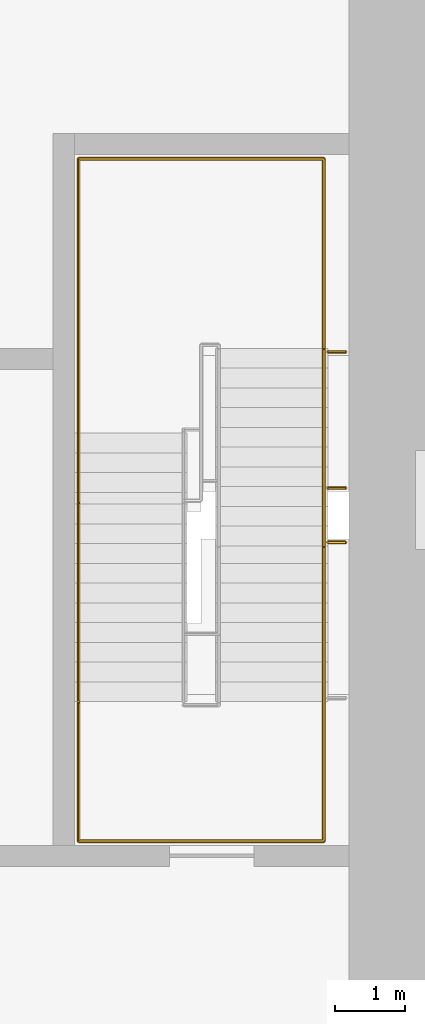
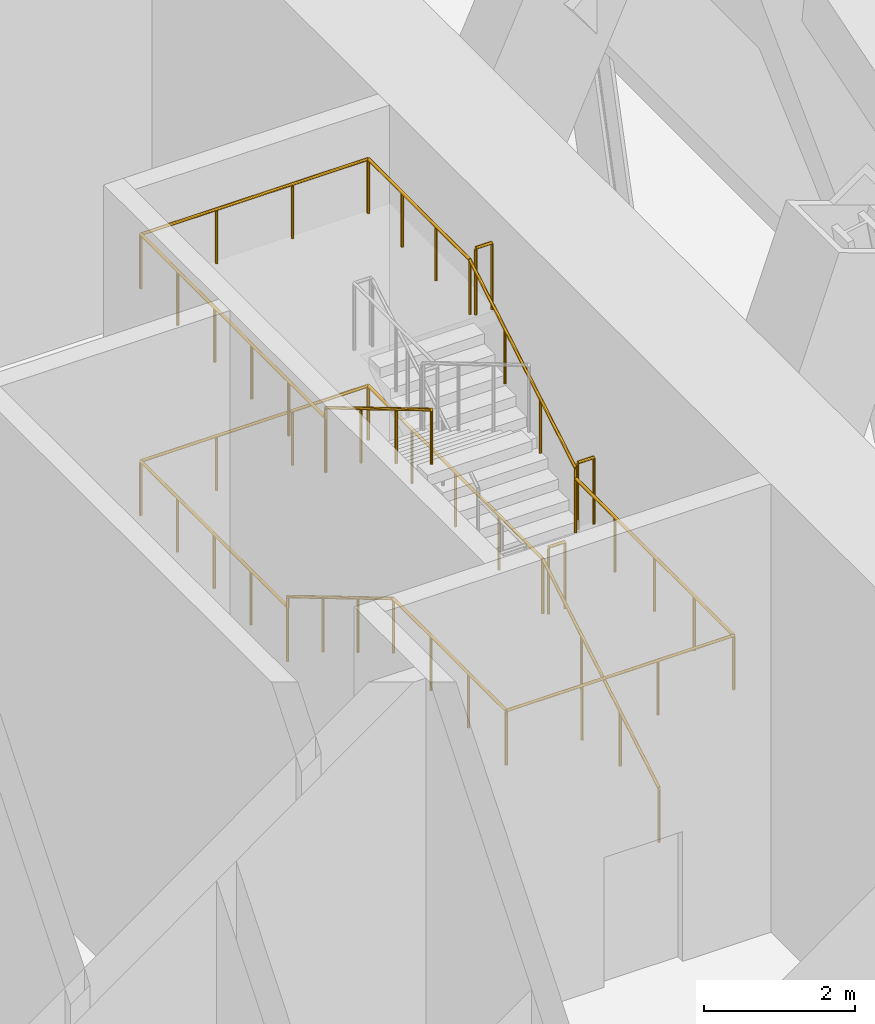
# One storey, part 16 of 16: 4 railings.
"""IFC4 building model written with IfcOpenShell, lengths in metres."""

from ifc_helpers import new_model, si_unit, direction, frame, origin, origin_2d, place, context, subcontext, project, spatial, circle, extrude, material, type_object, element, save


model = new_model("IFC4")

# Units and contexts
model_context = context("Model", 3, precision=1e-05, world=origin(), true_north=direction((0.0, 1.0)))
body_context = subcontext(model_context, "Body", "Model", "MODEL_VIEW")
ifc_project = project(units=[si_unit("LENGTHUNIT", "METRE"), si_unit("AREAUNIT", "SQUARE_METRE"), si_unit("VOLUMEUNIT", "CUBIC_METRE"), si_unit("PLANEANGLEUNIT", "RADIAN"), si_unit("MASSUNIT", "GRAM", prefix="KILO")], contexts=[model_context])

# Site, building, storey
site_placement = place(None, origin())
site = spatial("IfcSite", under=ifc_project, at=site_placement, CompositionType="ELEMENT")
building_placement = place(site_placement, origin())
building = spatial("IfcBuilding", under=site, at=building_placement, Name="Khuree Lantern Residences", CompositionType="ELEMENT")
storey_placement = place(building_placement, frame((0.0, 0.0, 278.25)))
storey = spatial("IfcBuildingStorey", under=building, at=storey_placement, Name="L70", CompositionType="ELEMENT", Elevation=278.25)

# Railings
ifc_material = material(Name="Steel S355", Category="steel")
railing_type_1 = type_object("IfcRailingType", Name="STAIR GUARD G1 1100", PredefinedType="GUARDRAIL", material=ifc_material)
for number, where, name in (
    (1, (14.64990234375, 0.169921875, 2.0), "Stair ST2 landing slot guard"),
    (2, (14.64990234375, -0.60009765625, 3.833251953125), "Stair ST2 landing slot guard"),
    (3, (14.64990234375, 2.10009765625, 5.666748046875), "Stair ST2 landing slot guard"),
):
    element("IfcRailing", number, at=place(storey_placement, frame(where)), inside=storey, type_object=railing_type_1, Name=name, PredefinedType="GUARDRAIL", context=body_context, shape_type="SweptSolid", body=[
        extrude(circle(Radius=0.02392578125, at=origin_2d()), frame((0.0, 0.0, 1.076171875), z_axis=(-1.0, 0.0, 0.0), x_axis=(0.0, -1.0, 0.0)), (0.0, 0.0, 1.0), 0.25),
        extrude(circle(Radius=0.02099609375, at=origin_2d()), origin(), (0.0, 0.0, 1.0), 1.052001953125),
        extrude(circle(Radius=0.02099609375, at=origin_2d()), frame((-0.25, 0.0, 0.0)), (0.0, 0.0, 1.0), 1.052001953125),
    ])
railing_type_2 = type_object("IfcRailingType", Name="STAIR HANDRAIL H1 900", PredefinedType="HANDRAIL", material=ifc_material)
railing_placement = place(storey_placement, frame((14.340087890625, -2.860107421875, 0.166748046875)))
element("IfcRailing", 4, at=railing_placement, inside=storey, type_object=railing_type_2, Name="Stair ST2 handrail", PredefinedType="HANDRAIL", context=body_context, shape_type="SweptSolid", body=[
    extrude(circle(Radius=0.02392578125, at=origin_2d()), frame((0.0, 0.0, 0.8759765625), z_axis=(0.0, 0.859308565015, 0.511457515432), x_axis=(-1.0, 0.0, 0.0)), (0.0, 0.0, 1.0), 3.58447265625),
    extrude(circle(Radius=0.02392578125, at=origin_2d()), frame((0.0, 3.080078125, 2.708984375), z_axis=(0.0, 1.0, 0.0), x_axis=(-1.0, 0.0, 0.0)), (0.0, 0.0, 1.0), 4.6201171875),
    extrude(circle(Radius=0.02392578125, at=origin_2d()), frame((0.0, 7.7001953125, 2.708984375), z_axis=(-1.0, 0.0, 0.0), x_axis=(0.0, -1.0, 0.0)), (0.0, 0.0, 1.0), 3.47998046875),
    extrude(circle(Radius=0.02392578125, at=origin_2d()), frame((-3.47998046875, 7.7001953125, 2.708984375), z_axis=(0.0, -1.0, 0.0), x_axis=(1.0, 0.0, 0.0)), (0.0, 0.0, 1.0), 3.89013671875),
    extrude(circle(Radius=0.02392578125, at=origin_2d()), frame((-3.47998046875, 3.81005859375, 2.708984375), z_axis=(0.0, 0.0, 1.0), x_axis=(1.0, 0.0, 0.0)), (0.0, 0.0, 1.0), 0.166748046875),
    extrude(circle(Radius=0.02392578125, at=origin_2d()), frame((-3.47998046875, 3.81005859375, 2.8759765625), z_axis=(0.0, -0.859318757487, 0.511440390497), x_axis=(1.0, 0.0, 0.0)), (0.0, 0.0, 1.0), 3.258544921875),
    extrude(circle(Radius=0.02392578125, at=origin_2d()), frame((-3.47998046875, 1.010009765625, 4.54248046875), z_axis=(0.0, -1.0, 0.0), x_axis=(1.0, 0.0, 0.0)), (0.0, 0.0, 1.0), 2.989990234375),
    extrude(circle(Radius=0.02392578125, at=origin_2d()), frame((-3.47998046875, -1.97998046875, 4.54248046875), z_axis=(1.0, 0.0, 0.0), x_axis=(0.0, 1.0, 0.0)), (0.0, 0.0, 1.0), 3.47998046875),
    extrude(circle(Radius=0.02392578125, at=origin_2d()), frame((0.0, -1.97998046875, 4.54248046875), z_axis=(0.0, 1.0, 0.0), x_axis=(-1.0, 0.0, 0.0)), (0.0, 0.0, 1.0), 4.190185546875),
    extrude(circle(Radius=0.02392578125, at=origin_2d()), frame((0.0, 2.210205078125, 4.54248046875), z_axis=(0.0, 0.0, 1.0), x_axis=(1.0, 0.0, 0.0)), (0.0, 0.0, 1.0), 0.166748046875),
    extrude(circle(Radius=0.02392578125, at=origin_2d()), frame((0.0, 2.210205078125, 4.708984375), z_axis=(0.0, 0.859266224305, 0.511528646088), x_axis=(-1.0, 0.0, 0.0)), (0.0, 0.0, 1.0), 3.25830078125),
    extrude(circle(Radius=0.02392578125, at=origin_2d()), frame((0.0, 5.010009765625, 6.3759765625), z_axis=(0.0, 1.0, 0.0), x_axis=(-1.0, 0.0, 0.0)), (0.0, 0.0, 1.0), 2.690185546875),
    extrude(circle(Radius=0.02392578125, at=origin_2d()), frame((0.0, 7.7001953125, 6.3759765625), z_axis=(-1.0, 0.0, 0.0), x_axis=(0.0, -1.0, 0.0)), (0.0, 0.0, 1.0), 3.47998046875),
    extrude(circle(Radius=0.02392578125, at=origin_2d()), frame((-3.47998046875, 7.7001953125, 6.3759765625), z_axis=(0.0, -1.0, 0.0), x_axis=(1.0, 0.0, 0.0)), (0.0, 0.0, 1.0), 4.900146484375),
    extrude(circle(Radius=0.02392578125, at=origin_2d()), frame((-3.47998046875, 2.800048828125, 6.3759765625), z_axis=(0.0, 0.0, 1.0), x_axis=(1.0, 0.0, 0.0)), (0.0, 0.0, 1.0), 0.16650390625),
    extrude(circle(Radius=0.02392578125, at=origin_2d()), frame((-3.47998046875, 2.800048828125, 6.54248046875), z_axis=(0.0, -0.859285828005, 0.511495714342), x_axis=(1.0, 0.0, 0.0)), (0.0, 0.0, 1.0), 3.258544921875),
    extrude(circle(Radius=0.02099609375, at=origin_2d()), origin(), (0.0, 0.0, 1.0), 0.851806640625),
    extrude(circle(Radius=0.02099609375, at=origin_2d()), frame((0.0, 1.026611328125, 0.611083984375)), (0.0, 0.0, 1.0), 0.851806640625),
    extrude(circle(Radius=0.02099609375, at=origin_2d()), frame((0.0, 2.053466796875, 1.22216796875)), (0.0, 0.0, 1.0), 0.851806640625),
    extrude(circle(Radius=0.02099609375, at=origin_2d()), frame((0.0, 3.080078125, 1.833251953125)), (0.0, 0.0, 1.0), 0.851806640625),
    extrude(circle(Radius=0.02099609375, at=origin_2d()), frame((0.0, 4.235107421875, 1.833251953125)), (0.0, 0.0, 1.0), 0.851806640625),
    extrude(circle(Radius=0.02099609375, at=origin_2d()), frame((0.0, 5.39013671875, 1.833251953125)), (0.0, 0.0, 1.0), 0.851806640625),
    extrude(circle(Radius=0.02099609375, at=origin_2d()), frame((0.0, 6.545166015625, 1.833251953125)), (0.0, 0.0, 1.0), 0.851806640625),
    extrude(circle(Radius=0.02099609375, at=origin_2d()), frame((0.0, 7.7001953125, 1.833251953125)), (0.0, 0.0, 1.0), 0.851806640625),
    extrude(circle(Radius=0.02099609375, at=origin_2d()), frame((-1.159912109375, 7.7001953125, 1.833251953125)), (0.0, 0.0, 1.0), 0.851806640625),
    extrude(circle(Radius=0.02099609375, at=origin_2d()), frame((-2.320068359375, 7.7001953125, 1.833251953125)), (0.0, 0.0, 1.0), 0.851806640625),
    extrude(circle(Radius=0.02099609375, at=origin_2d()), frame((-3.47998046875, 7.7001953125, 1.833251953125)), (0.0, 0.0, 1.0), 0.851806640625),
    extrude(circle(Radius=0.02099609375, at=origin_2d()), frame((-3.47998046875, 6.7275390625, 1.833251953125)), (0.0, 0.0, 1.0), 0.851806640625),
    extrude(circle(Radius=0.02099609375, at=origin_2d()), frame((-3.47998046875, 5.755126953125, 1.833251953125)), (0.0, 0.0, 1.0), 0.851806640625),
    extrude(circle(Radius=0.02099609375, at=origin_2d()), frame((-3.47998046875, 4.78271484375, 1.833251953125)), (0.0, 0.0, 1.0), 0.851806640625),
    extrude(circle(Radius=0.02099609375, at=origin_2d()), frame((-3.47998046875, 3.81005859375, 1.833251953125)), (0.0, 0.0, 1.0), 0.851806640625),
    extrude(circle(Radius=0.02099609375, at=origin_2d()), frame((-3.47998046875, 3.81005859375, 2.0)), (0.0, 0.0, 1.0), 0.851806640625),
    extrude(circle(Radius=0.02099609375, at=origin_2d()), frame((-3.47998046875, 2.876708984375, 2.555419921875)), (0.0, 0.0, 1.0), 0.851806640625),
    extrude(circle(Radius=0.02099609375, at=origin_2d()), frame((-3.47998046875, 1.943359375, 3.111083984375)), (0.0, 0.0, 1.0), 0.851806640625),
    extrude(circle(Radius=0.02099609375, at=origin_2d()), frame((-3.47998046875, 1.010009765625, 3.66650390625)), (0.0, 0.0, 1.0), 0.851806640625),
    extrude(circle(Radius=0.02099609375, at=origin_2d()), frame((-3.47998046875, 0.013427734375, 3.66650390625)), (0.0, 0.0, 1.0), 0.851806640625),
    extrude(circle(Radius=0.02099609375, at=origin_2d()), frame((-3.47998046875, -0.9833984375, 3.66650390625)), (0.0, 0.0, 1.0), 0.851806640625),
    extrude(circle(Radius=0.02099609375, at=origin_2d()), frame((-3.47998046875, -1.97998046875, 3.66650390625)), (0.0, 0.0, 1.0), 0.851806640625),
    extrude(circle(Radius=0.02099609375, at=origin_2d()), frame((-2.320068359375, -1.97998046875, 3.66650390625)), (0.0, 0.0, 1.0), 0.851806640625),
    extrude(circle(Radius=0.02099609375, at=origin_2d()), frame((-1.159912109375, -1.97998046875, 3.66650390625)), (0.0, 0.0, 1.0), 0.851806640625),
    extrude(circle(Radius=0.02099609375, at=origin_2d()), frame((0.0, -1.97998046875, 3.66650390625)), (0.0, 0.0, 1.0), 0.851806640625),
    extrude(circle(Radius=0.02099609375, at=origin_2d()), frame((0.0, -0.932373046875, 3.66650390625)), (0.0, 0.0, 1.0), 0.851806640625),
    extrude(circle(Radius=0.02099609375, at=origin_2d()), frame((0.0, 0.115234375, 3.66650390625)), (0.0, 0.0, 1.0), 0.851806640625),
    extrude(circle(Radius=0.02099609375, at=origin_2d()), frame((0.0, 1.16259765625, 3.66650390625)), (0.0, 0.0, 1.0), 0.851806640625),
    extrude(circle(Radius=0.02099609375, at=origin_2d()), frame((0.0, 2.210205078125, 3.66650390625)), (0.0, 0.0, 1.0), 0.851806640625),
    extrude(circle(Radius=0.02099609375, at=origin_2d()), frame((0.0, 2.210205078125, 3.833251953125)), (0.0, 0.0, 1.0), 0.851806640625),
    extrude(circle(Radius=0.02099609375, at=origin_2d()), frame((0.0, 3.1435546875, 4.388916015625)), (0.0, 0.0, 1.0), 0.851806640625),
    extrude(circle(Radius=0.02099609375, at=origin_2d()), frame((0.0, 4.07666015625, 4.9443359375)), (0.0, 0.0, 1.0), 0.851806640625),
    extrude(circle(Radius=0.02099609375, at=origin_2d()), frame((0.0, 5.010009765625, 5.5)), (0.0, 0.0, 1.0), 0.851806640625),
    extrude(circle(Radius=0.02099609375, at=origin_2d()), frame((0.0, 5.90673828125, 5.5)), (0.0, 0.0, 1.0), 0.851806640625),
    extrude(circle(Radius=0.02099609375, at=origin_2d()), frame((0.0, 6.803466796875, 5.5)), (0.0, 0.0, 1.0), 0.851806640625),
    extrude(circle(Radius=0.02099609375, at=origin_2d()), frame((0.0, 7.7001953125, 5.5)), (0.0, 0.0, 1.0), 0.851806640625),
    extrude(circle(Radius=0.02099609375, at=origin_2d()), frame((-1.159912109375, 7.7001953125, 5.5)), (0.0, 0.0, 1.0), 0.851806640625),
    extrude(circle(Radius=0.02099609375, at=origin_2d()), frame((-2.320068359375, 7.7001953125, 5.5)), (0.0, 0.0, 1.0), 0.851806640625),
    extrude(circle(Radius=0.02099609375, at=origin_2d()), frame((-3.47998046875, 7.7001953125, 5.5)), (0.0, 0.0, 1.0), 0.851806640625),
    extrude(circle(Radius=0.02099609375, at=origin_2d()), frame((-3.47998046875, 6.72021484375, 5.5)), (0.0, 0.0, 1.0), 0.851806640625),
    extrude(circle(Radius=0.02099609375, at=origin_2d()), frame((-3.47998046875, 5.740234375, 5.5)), (0.0, 0.0, 1.0), 0.851806640625),
    extrude(circle(Radius=0.02099609375, at=origin_2d()), frame((-3.47998046875, 4.760009765625, 5.5)), (0.0, 0.0, 1.0), 0.851806640625),
    extrude(circle(Radius=0.02099609375, at=origin_2d()), frame((-3.47998046875, 3.780029296875, 5.5)), (0.0, 0.0, 1.0), 0.851806640625),
    extrude(circle(Radius=0.02099609375, at=origin_2d()), frame((-3.47998046875, 2.800048828125, 5.5)), (0.0, 0.0, 1.0), 0.851806640625),
    extrude(circle(Radius=0.02099609375, at=origin_2d()), frame((-3.47998046875, 2.800048828125, 5.66650390625)), (0.0, 0.0, 1.0), 0.851806640625),
    extrude(circle(Radius=0.02099609375, at=origin_2d()), frame((-3.47998046875, 1.86669921875, 6.22216796875)), (0.0, 0.0, 1.0), 0.851806640625),
    extrude(circle(Radius=0.02099609375, at=origin_2d()), frame((-3.47998046875, 0.933349609375, 6.777587890625)), (0.0, 0.0, 1.0), 0.851806640625),
    extrude(circle(Radius=0.02099609375, at=origin_2d()), frame((-3.47998046875, 0.0, 7.333251953125)), (0.0, 0.0, 1.0), 0.851806640625),
])

save(model, "model.ifc")
